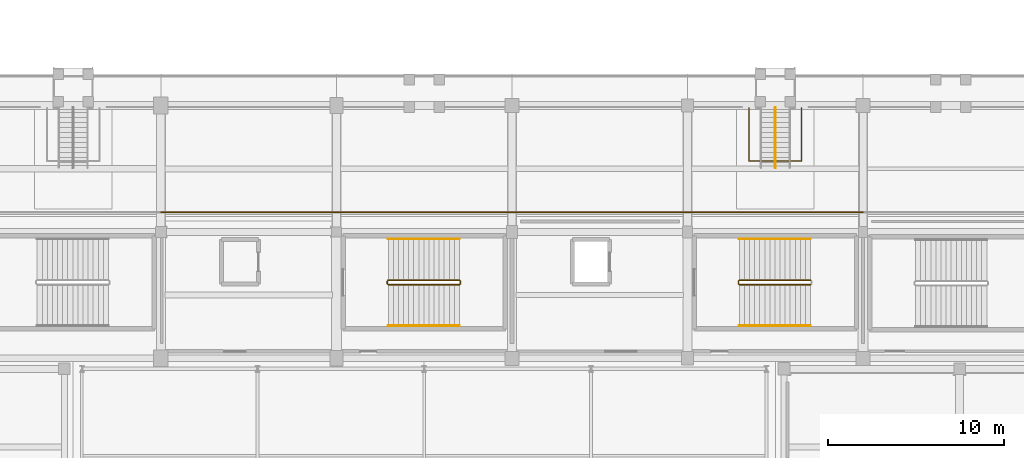
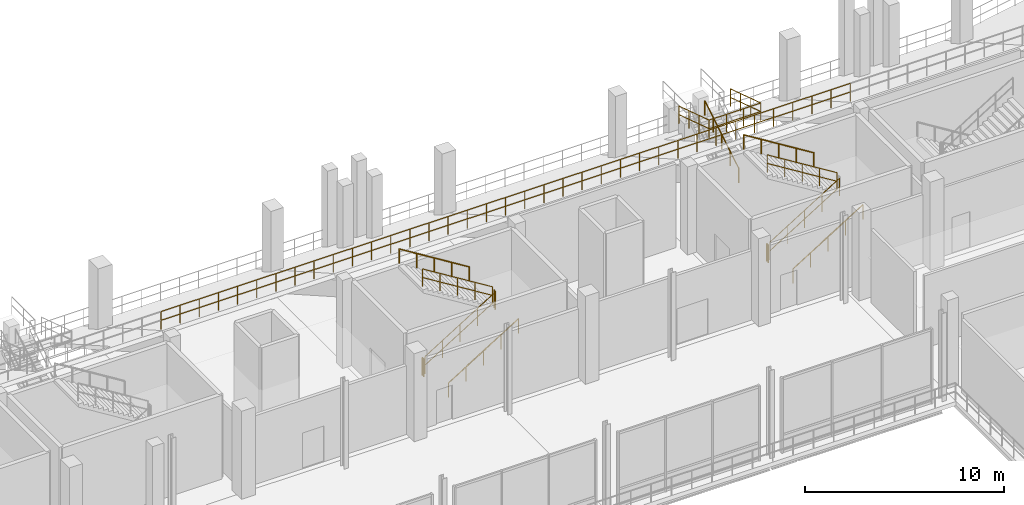
# One storey, part 101 of 127: 17 railings.
"""IFC4 building model written with IfcOpenShell, lengths in metres."""

from ifc_helpers import new_model, si_unit, direction, frame, origin, origin_2d, place, context, subcontext, project, spatial, circle, extrude, material, layer, layer_set, type_object, element, save


model = new_model("IFC4")

# Units and contexts
model_context = context("Model", 3, precision=1e-05, world=origin(), true_north=direction((0.0, 1.0)))
body_context = subcontext(model_context, "Body", "Model", "MODEL_VIEW")
ifc_project = project(units=[si_unit("LENGTHUNIT", "METRE"), si_unit("AREAUNIT", "SQUARE_METRE"), si_unit("VOLUMEUNIT", "CUBIC_METRE"), si_unit("PLANEANGLEUNIT", "RADIAN"), si_unit("MASSUNIT", "GRAM", prefix="KILO")], contexts=[model_context])

# Site, building, storey
site_placement = place(None, origin())
site = spatial("IfcSite", under=ifc_project, at=site_placement, CompositionType="ELEMENT")
building_placement = place(site_placement, origin())
building = spatial("IfcBuilding", under=site, at=building_placement, Name="Candeia Ridge Stadium", CompositionType="ELEMENT")
storey_placement = place(building_placement, frame((0.0, 0.0, 10.800048828125)))
storey = spatial("IfcBuildingStorey", under=building, at=storey_placement, Name="L02", CompositionType="ELEMENT", Elevation=10.800048828125)

# Railings
ifc_material_1 = material(Name="Galvanized Powder-Coated Steel", Category="steel")
ifc_layer_1 = layer(ifc_material_1, 0.074951171875, Name="Galvanized Powder-Coated Steel", Category="steel")
ifc_layer_set_1 = layer_set([ifc_layer_1], Name="Galvanized Powder-Coated Steel")
railing_type_1 = type_object("IfcRailingType", Name="Spectator Bowl Front Guardrail 1120", PredefinedType="GUARDRAIL", material=ifc_layer_set_1)
for number, where, name in (
    (1, (91.0, 27.320068359375, 4.949951171875), "Stand T2 rear safety guardrail bay 21"),
    (2, (101.0, 27.320068359375, 4.949951171875), "Stand T2 rear safety guardrail bay 22"),
    (3, (111.0, 27.320068359375, 4.949951171875), "Stand T2 rear safety guardrail bay 23"),
    (4, (121.0, 27.320068359375, 4.949951171875), "Stand T2 rear safety guardrail bay 24"),
):
    element("IfcRailing", number, at=place(storey_placement, frame(where)), inside=storey, type_object=railing_type_1, Name=name, PredefinedType="GUARDRAIL", context=body_context, shape_type="SweptSolid", body=[
        extrude(circle(Radius=0.02392578125, at=origin_2d()), frame((0.0, 0.0, 1.09619140625), z_axis=(1.0, 0.0, 0.0), x_axis=(0.0, 1.0, 0.0)), (0.0, 0.0, 1.0), 10.0),
        extrude(circle(Radius=0.02392578125, at=origin_2d()), frame((0.0, 0.0, 0.56005859375), z_axis=(1.0, 0.0, 0.0), x_axis=(0.0, 1.0, 0.0)), (0.0, 0.0, 1.0), 10.0),
        extrude(circle(Radius=0.02099609375, at=origin_2d()), origin(), (0.0, 0.0, 1.0), 1.072021484375),
        extrude(circle(Radius=0.02099609375, at=origin_2d()), frame((1.111083984375, 0.0, 0.0)), (0.0, 0.0, 1.0), 1.072021484375),
        extrude(circle(Radius=0.02099609375, at=origin_2d()), frame((2.22216796875, 0.0, 0.0)), (0.0, 0.0, 1.0), 1.072021484375),
        extrude(circle(Radius=0.02099609375, at=origin_2d()), frame((3.333251953125, 0.0, 0.0)), (0.0, 0.0, 1.0), 1.072021484375),
        extrude(circle(Radius=0.02099609375, at=origin_2d()), frame((4.4443359375, 0.0, 0.0)), (0.0, 0.0, 1.0), 1.072021484375),
        extrude(circle(Radius=0.02099609375, at=origin_2d()), frame((5.5556640625, 0.0, 0.0)), (0.0, 0.0, 1.0), 1.072021484375),
        extrude(circle(Radius=0.02099609375, at=origin_2d()), frame((6.666748046875, 0.0, 0.0)), (0.0, 0.0, 1.0), 1.072021484375),
        extrude(circle(Radius=0.02099609375, at=origin_2d()), frame((7.77783203125, 0.0, 0.0)), (0.0, 0.0, 1.0), 1.072021484375),
        extrude(circle(Radius=0.02099609375, at=origin_2d()), frame((8.888916015625, 0.0, 0.0)), (0.0, 0.0, 1.0), 1.072021484375),
        extrude(circle(Radius=0.02099609375, at=origin_2d()), frame((10.0, 0.0, 0.0)), (0.0, 0.0, 1.0), 1.072021484375),
    ])
ifc_material_2 = material(Name="Brushed Stainless Steel", Category="steel")
ifc_layer_2 = layer(ifc_material_2, 0.048095703125, Name="Brushed Stainless Steel", Category="steel")
ifc_layer_set_2 = layer_set([ifc_layer_2], Name="Brushed Stainless Steel")
railing_type_2 = type_object("IfcRailingType", Name="Stair Wall & Flight Handrail 900", PredefinedType="HANDRAIL", material=ifc_layer_set_2)
railing_1_placement = place(storey_placement, frame((123.949951171875, 20.85009765625, 0.179931640625)))
element("IfcRailing", 5, at=railing_1_placement, inside=storey, type_object=railing_type_2, Name="L02 ST12 stair handrail 1", PredefinedType="HANDRAIL", context=body_context, shape_type="SweptSolid", body=[
    extrude(circle(Radius=0.02392578125, at=origin_2d()), frame((0.0, 0.0, 0.8759765625), z_axis=(0.849641744969, 0.0, 0.527360318194), x_axis=(0.0, 1.0, 0.0)), (0.0, 0.0, 1.0), 4.778564453125),
    extrude(circle(Radius=0.02099609375, at=origin_2d()), origin(), (0.0, 0.0, 1.0), 0.851806640625),
    extrude(circle(Radius=0.02099609375, at=origin_2d()), frame((1.01513671875, 0.0, 0.6298828125)), (0.0, 0.0, 1.0), 0.851806640625),
    extrude(circle(Radius=0.02099609375, at=origin_2d()), frame((2.030029296875, 0.0, 1.260009765625)), (0.0, 0.0, 1.0), 0.851806640625),
    extrude(circle(Radius=0.02099609375, at=origin_2d()), frame((3.044921875, 0.0, 1.89013671875)), (0.0, 0.0, 1.0), 0.851806640625),
    extrude(circle(Radius=0.02099609375, at=origin_2d()), frame((4.06005859375, 0.0, 2.52001953125)), (0.0, 0.0, 1.0), 0.851806640625),
])
railing_2_placement = place(storey_placement, frame((128.010009765625, 25.800048828125, 2.8798828125)))
element("IfcRailing", 6, at=railing_2_placement, inside=storey, type_object=railing_type_2, Name="L02 ST12 stair handrail 2", PredefinedType="HANDRAIL", context=body_context, shape_type="SweptSolid", body=[
    extrude(circle(Radius=0.02392578125, at=origin_2d()), frame((0.0, 0.0, 0.8759765625), z_axis=(-0.849641744969, 0.0, 0.527360318194), x_axis=(0.0, -1.0, 0.0)), (0.0, 0.0, 1.0), 4.778564453125),
    extrude(circle(Radius=0.02099609375, at=origin_2d()), origin(), (0.0, 0.0, 1.0), 0.851806640625),
    extrude(circle(Radius=0.02099609375, at=origin_2d()), frame((-1.01513671875, 0.0, 0.6298828125)), (0.0, 0.0, 1.0), 0.851806640625),
    extrude(circle(Radius=0.02099609375, at=origin_2d()), frame((-2.030029296875, 0.0, 1.260009765625)), (0.0, 0.0, 1.0), 0.851806640625),
    extrude(circle(Radius=0.02099609375, at=origin_2d()), frame((-3.044921875, 0.0, 1.89013671875)), (0.0, 0.0, 1.0), 0.851806640625),
    extrude(circle(Radius=0.02099609375, at=origin_2d()), frame((-4.06005859375, 0.0, 2.52001953125)), (0.0, 0.0, 1.0), 0.851806640625),
])
railing_3_placement = place(storey_placement, frame((103.949951171875, 20.85009765625, 0.179931640625)))
element("IfcRailing", 7, at=railing_3_placement, inside=storey, type_object=railing_type_2, Name="L02 ST18 stair handrail 1", PredefinedType="HANDRAIL", context=body_context, shape_type="SweptSolid", body=[
    extrude(circle(Radius=0.02392578125, at=origin_2d()), frame((0.0, 0.0, 0.8759765625), z_axis=(0.849641744969, 0.0, 0.527360318194), x_axis=(0.0, 1.0, 0.0)), (0.0, 0.0, 1.0), 4.778564453125),
    extrude(circle(Radius=0.02099609375, at=origin_2d()), origin(), (0.0, 0.0, 1.0), 0.851806640625),
    extrude(circle(Radius=0.02099609375, at=origin_2d()), frame((1.01513671875, 0.0, 0.6298828125)), (0.0, 0.0, 1.0), 0.851806640625),
    extrude(circle(Radius=0.02099609375, at=origin_2d()), frame((2.030029296875, 0.0, 1.260009765625)), (0.0, 0.0, 1.0), 0.851806640625),
    extrude(circle(Radius=0.02099609375, at=origin_2d()), frame((3.044921875, 0.0, 1.89013671875)), (0.0, 0.0, 1.0), 0.851806640625),
    extrude(circle(Radius=0.02099609375, at=origin_2d()), frame((4.06005859375, 0.0, 2.52001953125)), (0.0, 0.0, 1.0), 0.851806640625),
])
railing_4_placement = place(storey_placement, frame((108.010009765625, 25.800048828125, 2.8798828125)))
element("IfcRailing", 8, at=railing_4_placement, inside=storey, type_object=railing_type_2, Name="L02 ST18 stair handrail 2", PredefinedType="HANDRAIL", context=body_context, shape_type="SweptSolid", body=[
    extrude(circle(Radius=0.02392578125, at=origin_2d()), frame((0.0, 0.0, 0.8759765625), z_axis=(-0.849641744969, 0.0, 0.527360318194), x_axis=(0.0, -1.0, 0.0)), (0.0, 0.0, 1.0), 4.778564453125),
    extrude(circle(Radius=0.02099609375, at=origin_2d()), origin(), (0.0, 0.0, 1.0), 0.851806640625),
    extrude(circle(Radius=0.02099609375, at=origin_2d()), frame((-1.01513671875, 0.0, 0.6298828125)), (0.0, 0.0, 1.0), 0.851806640625),
    extrude(circle(Radius=0.02099609375, at=origin_2d()), frame((-2.030029296875, 0.0, 1.260009765625)), (0.0, 0.0, 1.0), 0.851806640625),
    extrude(circle(Radius=0.02099609375, at=origin_2d()), frame((-3.044921875, 0.0, 1.89013671875)), (0.0, 0.0, 1.0), 0.851806640625),
    extrude(circle(Radius=0.02099609375, at=origin_2d()), frame((-4.06005859375, 0.0, 2.52001953125)), (0.0, 0.0, 1.0), 0.851806640625),
])
railing_5_placement = place(storey_placement, frame((126.0, 29.860107421875, 0.17236328125)))
element("IfcRailing", 9, at=railing_5_placement, inside=storey, type_object=railing_type_2, Name="Vomitory stair handrail VS23", PredefinedType="HANDRAIL", context=body_context, shape_type="SweptSolid", body=[
    extrude(circle(Radius=0.02392578125, at=origin_2d()), frame((0.0, 0.0, 0.8759765625), z_axis=(0.0, 0.855757773658, 0.517376683688), x_axis=(-1.0, 0.0, 0.0)), (0.0, 0.0, 1.0), 3.996337890625),
    extrude(circle(Radius=0.02099609375, at=origin_2d()), origin(), (0.0, 0.0, 1.0), 0.851806640625),
    extrude(circle(Radius=0.02099609375, at=origin_2d()), frame((0.0, 0.85498046875, 0.516845703125)), (0.0, 0.0, 1.0), 0.851806640625),
    extrude(circle(Radius=0.02099609375, at=origin_2d()), frame((0.0, 1.7099609375, 1.03369140625)), (0.0, 0.0, 1.0), 0.851806640625),
    extrude(circle(Radius=0.02099609375, at=origin_2d()), frame((0.0, 2.56494140625, 1.55078125)), (0.0, 0.0, 1.0), 0.851806640625),
    extrude(circle(Radius=0.02099609375, at=origin_2d()), frame((0.0, 3.419921875, 2.067626953125)), (0.0, 0.0, 1.0), 0.851806640625),
])
ifc_layer_3 = layer(ifc_material_1, 0.06005859375, Name="Galvanized Powder-Coated Steel", Category="steel")
ifc_layer_set_3 = layer_set([ifc_layer_3], Name="Galvanized Powder-Coated Steel")
railing_type_3 = type_object("IfcRailingType", Name="Stair Well Guardrail 1100", PredefinedType="GUARDRAIL", material=ifc_layer_set_3)
railing_6_placement = place(storey_placement, frame((123.949951171875, 23.199951171875, 0.179931640625)))
element("IfcRailing", 10, at=railing_6_placement, inside=storey, type_object=railing_type_3, Name="L02 ST12 stair guard 1", PredefinedType="GUARDRAIL", context=body_context, shape_type="SweptSolid", body=[
    extrude(circle(Radius=0.02392578125, at=origin_2d()), frame((0.0, 0.0, 1.076171875), z_axis=(0.849641744969, 0.0, 0.527360318194), x_axis=(0.0, 1.0, 0.0)), (0.0, 0.0, 1.0), 4.778564453125),
    extrude(circle(Radius=0.02392578125, at=origin_2d()), frame((0.0, 0.0, 0.550048828125), z_axis=(0.849641744969, 0.0, 0.527360318194), x_axis=(0.0, 1.0, 0.0)), (0.0, 0.0, 1.0), 4.778564453125),
    extrude(circle(Radius=0.02099609375, at=origin_2d()), origin(), (0.0, 0.0, 1.0), 1.052001953125),
    extrude(circle(Radius=0.02099609375, at=origin_2d()), frame((1.01513671875, 0.0, 0.6298828125)), (0.0, 0.0, 1.0), 1.052001953125),
    extrude(circle(Radius=0.02099609375, at=origin_2d()), frame((2.030029296875, 0.0, 1.260009765625)), (0.0, 0.0, 1.0), 1.052001953125),
    extrude(circle(Radius=0.02099609375, at=origin_2d()), frame((3.044921875, 0.0, 1.89013671875)), (0.0, 0.0, 1.0), 1.052001953125),
    extrude(circle(Radius=0.02099609375, at=origin_2d()), frame((4.06005859375, 0.0, 2.52001953125)), (0.0, 0.0, 1.0), 1.052001953125),
])
railing_7_placement = place(storey_placement, frame((128.010009765625, 23.449951171875, 2.8798828125)))
element("IfcRailing", 11, at=railing_7_placement, inside=storey, type_object=railing_type_3, Name="L02 ST12 stair guard 3", PredefinedType="GUARDRAIL", context=body_context, shape_type="SweptSolid", body=[
    extrude(circle(Radius=0.02392578125, at=origin_2d()), frame((0.0, 0.0, 1.076171875), z_axis=(-0.849641744969, 0.0, 0.527360318194), x_axis=(0.0, -1.0, 0.0)), (0.0, 0.0, 1.0), 4.778564453125),
    extrude(circle(Radius=0.02392578125, at=origin_2d()), frame((0.0, 0.0, 0.550048828125), z_axis=(-0.849641744969, 0.0, 0.527360318194), x_axis=(0.0, -1.0, 0.0)), (0.0, 0.0, 1.0), 4.778564453125),
    extrude(circle(Radius=0.02099609375, at=origin_2d()), origin(), (0.0, 0.0, 1.0), 1.052001953125),
    extrude(circle(Radius=0.02099609375, at=origin_2d()), frame((-1.01513671875, 0.0, 0.6298828125)), (0.0, 0.0, 1.0), 1.052001953125),
    extrude(circle(Radius=0.02099609375, at=origin_2d()), frame((-2.030029296875, 0.0, 1.260009765625)), (0.0, 0.0, 1.0), 1.052001953125),
    extrude(circle(Radius=0.02099609375, at=origin_2d()), frame((-3.044921875, 0.0, 1.89013671875)), (0.0, 0.0, 1.0), 1.052001953125),
    extrude(circle(Radius=0.02099609375, at=origin_2d()), frame((-4.06005859375, 0.0, 2.52001953125)), (0.0, 0.0, 1.0), 1.052001953125),
])
railing_8_placement = place(storey_placement, frame((123.89990234375, 23.25, 0.0)))
element("IfcRailing", 12, at=railing_8_placement, inside=storey, type_object=railing_type_3, Name="L02 ST12 stair guard 4", PredefinedType="GUARDRAIL", context=body_context, shape_type="SweptSolid", body=[
    extrude(circle(Radius=0.02392578125, at=origin_2d()), frame((0.0, 0.0, 1.076171875), z_axis=(0.0, 1.0, 0.0), x_axis=(-1.0, 0.0, 0.0)), (0.0, 0.0, 1.0), 0.14990234375),
    extrude(circle(Radius=0.02392578125, at=origin_2d()), frame((0.0, 0.0, 0.550048828125), z_axis=(0.0, 1.0, 0.0), x_axis=(-1.0, 0.0, 0.0)), (0.0, 0.0, 1.0), 0.14990234375),
    extrude(circle(Radius=0.02099609375, at=origin_2d()), origin(), (0.0, 0.0, 1.0), 1.052001953125),
    extrude(circle(Radius=0.02099609375, at=origin_2d()), frame((0.0, 0.14990234375, 0.0)), (0.0, 0.0, 1.0), 1.052001953125),
])
railing_9_placement = place(storey_placement, frame((103.949951171875, 23.199951171875, 0.179931640625)))
element("IfcRailing", 13, at=railing_9_placement, inside=storey, type_object=railing_type_3, Name="L02 ST18 stair guard 1", PredefinedType="GUARDRAIL", context=body_context, shape_type="SweptSolid", body=[
    extrude(circle(Radius=0.02392578125, at=origin_2d()), frame((0.0, 0.0, 1.076171875), z_axis=(0.849641744969, 0.0, 0.527360318194), x_axis=(0.0, 1.0, 0.0)), (0.0, 0.0, 1.0), 4.778564453125),
    extrude(circle(Radius=0.02392578125, at=origin_2d()), frame((0.0, 0.0, 0.550048828125), z_axis=(0.849641744969, 0.0, 0.527360318194), x_axis=(0.0, 1.0, 0.0)), (0.0, 0.0, 1.0), 4.778564453125),
    extrude(circle(Radius=0.02099609375, at=origin_2d()), origin(), (0.0, 0.0, 1.0), 1.052001953125),
    extrude(circle(Radius=0.02099609375, at=origin_2d()), frame((1.01513671875, 0.0, 0.6298828125)), (0.0, 0.0, 1.0), 1.052001953125),
    extrude(circle(Radius=0.02099609375, at=origin_2d()), frame((2.030029296875, 0.0, 1.260009765625)), (0.0, 0.0, 1.0), 1.052001953125),
    extrude(circle(Radius=0.02099609375, at=origin_2d()), frame((3.044921875, 0.0, 1.89013671875)), (0.0, 0.0, 1.0), 1.052001953125),
    extrude(circle(Radius=0.02099609375, at=origin_2d()), frame((4.06005859375, 0.0, 2.52001953125)), (0.0, 0.0, 1.0), 1.052001953125),
])
railing_10_placement = place(storey_placement, frame((108.06005859375, 23.25, 2.699951171875)))
element("IfcRailing", 14, at=railing_10_placement, inside=storey, type_object=railing_type_3, Name="L02 ST18 stair guard 2", PredefinedType="GUARDRAIL", context=body_context, shape_type="SweptSolid", body=[
    extrude(circle(Radius=0.02392578125, at=origin_2d()), frame((0.0, 0.0, 1.076171875), z_axis=(0.0, 1.0, 0.0), x_axis=(-1.0, 0.0, 0.0)), (0.0, 0.0, 1.0), 0.14990234375),
    extrude(circle(Radius=0.02392578125, at=origin_2d()), frame((0.0, 0.0, 0.550048828125), z_axis=(0.0, 1.0, 0.0), x_axis=(-1.0, 0.0, 0.0)), (0.0, 0.0, 1.0), 0.14990234375),
    extrude(circle(Radius=0.02099609375, at=origin_2d()), origin(), (0.0, 0.0, 1.0), 1.052001953125),
    extrude(circle(Radius=0.02099609375, at=origin_2d()), frame((0.0, 0.14990234375, 0.0)), (0.0, 0.0, 1.0), 1.052001953125),
])
railing_11_placement = place(storey_placement, frame((108.010009765625, 23.449951171875, 2.8798828125)))
element("IfcRailing", 15, at=railing_11_placement, inside=storey, type_object=railing_type_3, Name="L02 ST18 stair guard 3", PredefinedType="GUARDRAIL", context=body_context, shape_type="SweptSolid", body=[
    extrude(circle(Radius=0.02392578125, at=origin_2d()), frame((0.0, 0.0, 1.076171875), z_axis=(-0.849641744969, 0.0, 0.527360318194), x_axis=(0.0, -1.0, 0.0)), (0.0, 0.0, 1.0), 4.778564453125),
    extrude(circle(Radius=0.02392578125, at=origin_2d()), frame((0.0, 0.0, 0.550048828125), z_axis=(-0.849641744969, 0.0, 0.527360318194), x_axis=(0.0, -1.0, 0.0)), (0.0, 0.0, 1.0), 4.778564453125),
    extrude(circle(Radius=0.02099609375, at=origin_2d()), origin(), (0.0, 0.0, 1.0), 1.052001953125),
    extrude(circle(Radius=0.02099609375, at=origin_2d()), frame((-1.01513671875, 0.0, 0.6298828125)), (0.0, 0.0, 1.0), 1.052001953125),
    extrude(circle(Radius=0.02099609375, at=origin_2d()), frame((-2.030029296875, 0.0, 1.260009765625)), (0.0, 0.0, 1.0), 1.052001953125),
    extrude(circle(Radius=0.02099609375, at=origin_2d()), frame((-3.044921875, 0.0, 1.89013671875)), (0.0, 0.0, 1.0), 1.052001953125),
    extrude(circle(Radius=0.02099609375, at=origin_2d()), frame((-4.06005859375, 0.0, 2.52001953125)), (0.0, 0.0, 1.0), 1.052001953125),
])
railing_12_placement = place(storey_placement, frame((103.89990234375, 23.25, 0.0)))
element("IfcRailing", 16, at=railing_12_placement, inside=storey, type_object=railing_type_3, Name="L02 ST18 stair guard 4", PredefinedType="GUARDRAIL", context=body_context, shape_type="SweptSolid", body=[
    extrude(circle(Radius=0.02392578125, at=origin_2d()), frame((0.0, 0.0, 1.076171875), z_axis=(0.0, 1.0, 0.0), x_axis=(-1.0, 0.0, 0.0)), (0.0, 0.0, 1.0), 0.14990234375),
    extrude(circle(Radius=0.02392578125, at=origin_2d()), frame((0.0, 0.0, 0.550048828125), z_axis=(0.0, 1.0, 0.0), x_axis=(-1.0, 0.0, 0.0)), (0.0, 0.0, 1.0), 0.14990234375),
    extrude(circle(Radius=0.02099609375, at=origin_2d()), origin(), (0.0, 0.0, 1.0), 1.052001953125),
    extrude(circle(Radius=0.02099609375, at=origin_2d()), frame((0.0, 0.14990234375, 0.0)), (0.0, 0.0, 1.0), 1.052001953125),
])
ifc_layer_4 = layer(ifc_material_1, 0.070068359375, Name="Galvanized Powder-Coated Steel", Category="steel")
ifc_layer_set_4 = layer_set([ifc_layer_4], Name="Galvanized Powder-Coated Steel")
railing_type_4 = type_object("IfcRailingType", Name="Vomitory Portal Guardrail 1100", PredefinedType="GUARDRAIL", material=ifc_layer_set_4)
railing_13_placement = place(storey_placement, frame((124.5, 33.280029296875, 2.239990234375)))
element("IfcRailing", 17, at=railing_13_placement, inside=storey, type_object=railing_type_4, Name="Vomitory portal guardrail VS23", PredefinedType="GUARDRAIL", context=body_context, shape_type="SweptSolid", body=[
    extrude(circle(Radius=0.02392578125, at=origin_2d()), frame((0.0, 0.0, 1.076171875), z_axis=(0.0, -0.95168124109, 0.307087634653), x_axis=(1.0, 0.0, 0.0)), (0.0, 0.0, 1.0), 3.1943359375),
    extrude(circle(Radius=0.02392578125, at=origin_2d()), frame((0.0, 0.0, 0.550048828125), z_axis=(0.0, -0.95168124109, 0.307087634653), x_axis=(1.0, 0.0, 0.0)), (0.0, 0.0, 1.0), 3.1943359375),
    extrude(circle(Radius=0.02392578125, at=origin_2d()), frame((0.0, -3.0400390625, 2.05712890625), z_axis=(1.0, 0.0, 0.0), x_axis=(0.0, 1.0, 0.0)), (0.0, 0.0, 1.0), 3.0),
    extrude(circle(Radius=0.02392578125, at=origin_2d()), frame((0.0, -3.0400390625, 1.531005859375), z_axis=(1.0, 0.0, 0.0), x_axis=(0.0, 1.0, 0.0)), (0.0, 0.0, 1.0), 3.0),
    extrude(circle(Radius=0.02392578125, at=origin_2d()), frame((3.0, -3.0400390625, 2.05712890625), z_axis=(0.0, 0.95168124109, -0.307087634653), x_axis=(-1.0, 0.0, 0.0)), (0.0, 0.0, 1.0), 3.1943359375),
    extrude(circle(Radius=0.02392578125, at=origin_2d()), frame((3.0, -3.0400390625, 1.531005859375), z_axis=(0.0, 0.95168124109, -0.307087634653), x_axis=(-1.0, 0.0, 0.0)), (0.0, 0.0, 1.0), 3.1943359375),
    extrude(circle(Radius=0.02099609375, at=origin_2d()), origin(), (0.0, 0.0, 1.0), 1.052001953125),
    extrude(circle(Radius=0.02099609375, at=origin_2d()), frame((0.0, -1.013427734375, 0.326904296875)), (0.0, 0.0, 1.0), 1.052001953125),
    extrude(circle(Radius=0.02099609375, at=origin_2d()), frame((0.0, -2.026611328125, 0.654052734375)), (0.0, 0.0, 1.0), 1.052001953125),
    extrude(circle(Radius=0.02099609375, at=origin_2d()), frame((0.0, -3.0400390625, 0.98095703125)), (0.0, 0.0, 1.0), 1.052001953125),
    extrude(circle(Radius=0.02099609375, at=origin_2d()), frame((1.0, -3.0400390625, 0.98095703125)), (0.0, 0.0, 1.0), 1.052001953125),
    extrude(circle(Radius=0.02099609375, at=origin_2d()), frame((2.0, -3.0400390625, 0.98095703125)), (0.0, 0.0, 1.0), 1.052001953125),
    extrude(circle(Radius=0.02099609375, at=origin_2d()), frame((3.0, -3.0400390625, 0.98095703125)), (0.0, 0.0, 1.0), 1.052001953125),
    extrude(circle(Radius=0.02099609375, at=origin_2d()), frame((3.0, -2.026611328125, 0.654052734375)), (0.0, 0.0, 1.0), 1.052001953125),
    extrude(circle(Radius=0.02099609375, at=origin_2d()), frame((3.0, -1.013427734375, 0.326904296875)), (0.0, 0.0, 1.0), 1.052001953125),
    extrude(circle(Radius=0.02099609375, at=origin_2d()), frame((3.0, 0.0, 0.0)), (0.0, 0.0, 1.0), 1.052001953125),
])

save(model, "model.ifc")
